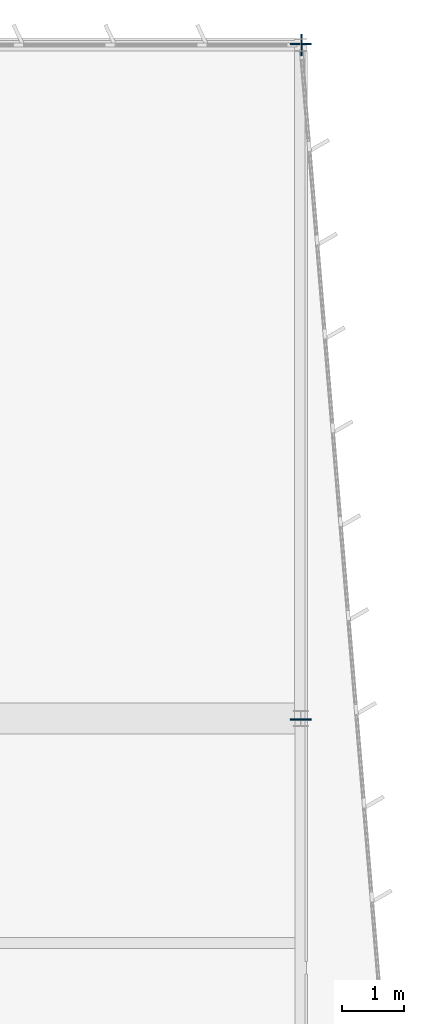
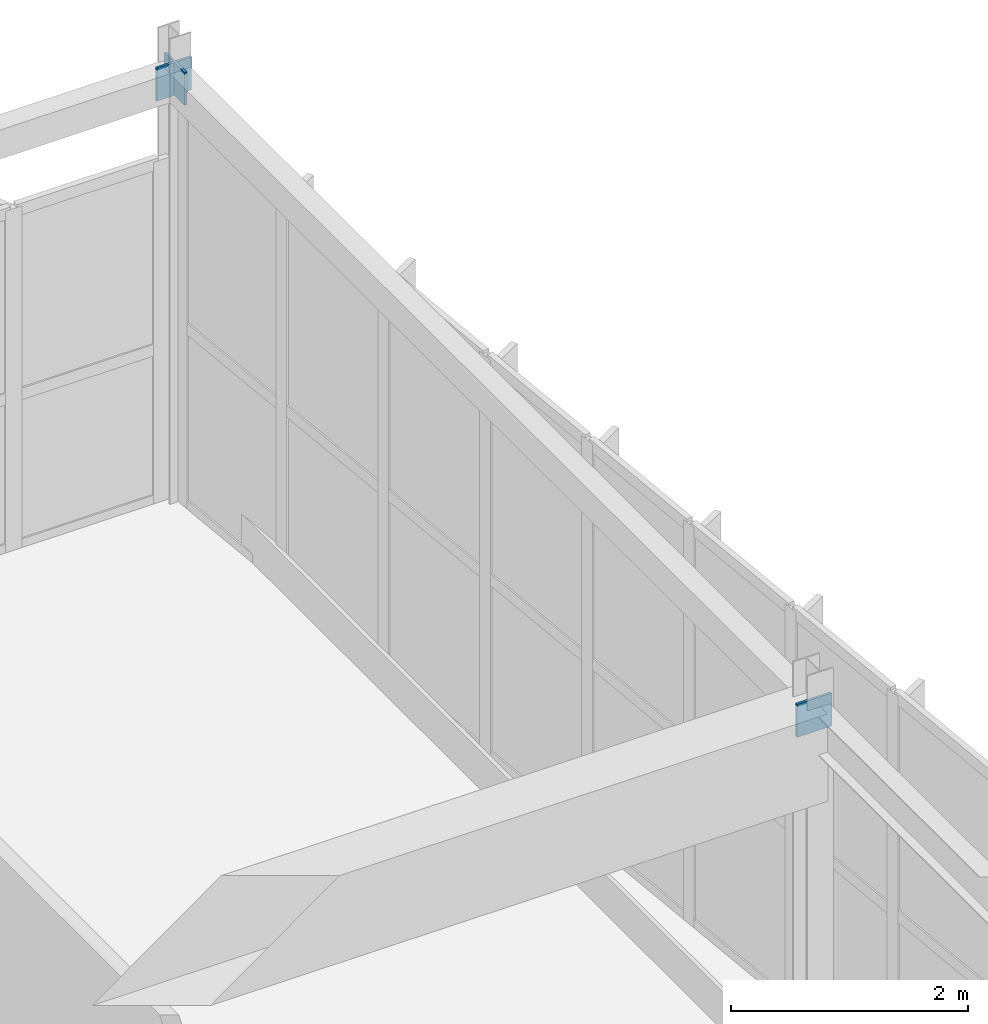
# One storey, part 154 of 186: 3 plates.
"""IFC4 building model written with IfcOpenShell, lengths in metres."""

from ifc_helpers import new_model, si_unit, direction, frame, origin, origin_2d, place, context, subcontext, project, spatial, rectangle, extrude, material, layer, layer_set, type_object, element, save


model = new_model("IFC4")

# Units and contexts
model_context = context("Model", 3, precision=1e-05, world=origin(), true_north=direction((0.0, 1.0)))
body_context = subcontext(model_context, "Body", "Model", "MODEL_VIEW")
ifc_project = project(units=[si_unit("LENGTHUNIT", "METRE"), si_unit("AREAUNIT", "SQUARE_METRE"), si_unit("VOLUMEUNIT", "CUBIC_METRE"), si_unit("PLANEANGLEUNIT", "RADIAN"), si_unit("MASSUNIT", "GRAM", prefix="KILO")], contexts=[model_context])

# Site, building, storey
site_placement = place(None, origin())
site = spatial("IfcSite", under=ifc_project, at=site_placement, CompositionType="ELEMENT")
building_placement = place(site_placement, origin())
building = spatial("IfcBuilding", under=site, at=building_placement, Name="Tarnwether General Hospital", CompositionType="ELEMENT")
storey_placement = place(building_placement, frame((0.0, 0.0, 9.60009765625)))
storey = spatial("IfcBuildingStorey", under=building, at=storey_placement, Name="L02", CompositionType="ELEMENT", Elevation=9.60009765625)

# Plates
ifc_material = material(Name="Steel Grade 350 (350 MPa)", Category="steel")
ifc_layer = layer(ifc_material, 0.02490234375)
ifc_layer_set = layer_set([ifc_layer], Name="Steel Grade 350 (350 MPa)")
plate_type = type_object("IfcPlateType", Name="PT-GUS2", PredefinedType="USERDEFINED", material=ifc_layer_set)
for number, where, z_axis, x_axis, name in (
    (1, (192.012451171875, 126.0, 4.11962890625), (0.0, 0.0, 1.0), (1.0, 0.0, 0.0), "Hollow Section Welded End Cap Plate 0974"),
    (2, (192.0, 115.1875, 4.11962890625), (0.0, 0.0, 1.0), (0.0, 1.0, 0.0), "Hollow Section Welded End Cap Plate 0981"),
    (3, (192.0, 126.012451171875, 4.11962890625), (0.0, 0.0, 1.0), (0.0, 1.0, 0.0), "Hollow Section Welded End Cap Plate 0982"),
):
    element("IfcPlate", number, at=place(storey_placement, frame(where, z_axis=z_axis, x_axis=x_axis)), inside=storey, type_object=plate_type, Name=name, ObjectType="GUSSET", PredefinedType="USERDEFINED", context=body_context, shape_type="SweptSolid", body=[
        extrude(rectangle(XDim=0.02490234375, YDim=0.340087890625, at=origin_2d()), origin(), (0.0, 0.0, 1.0), 0.340087890625),
    ])

save(model, "model.ifc")
